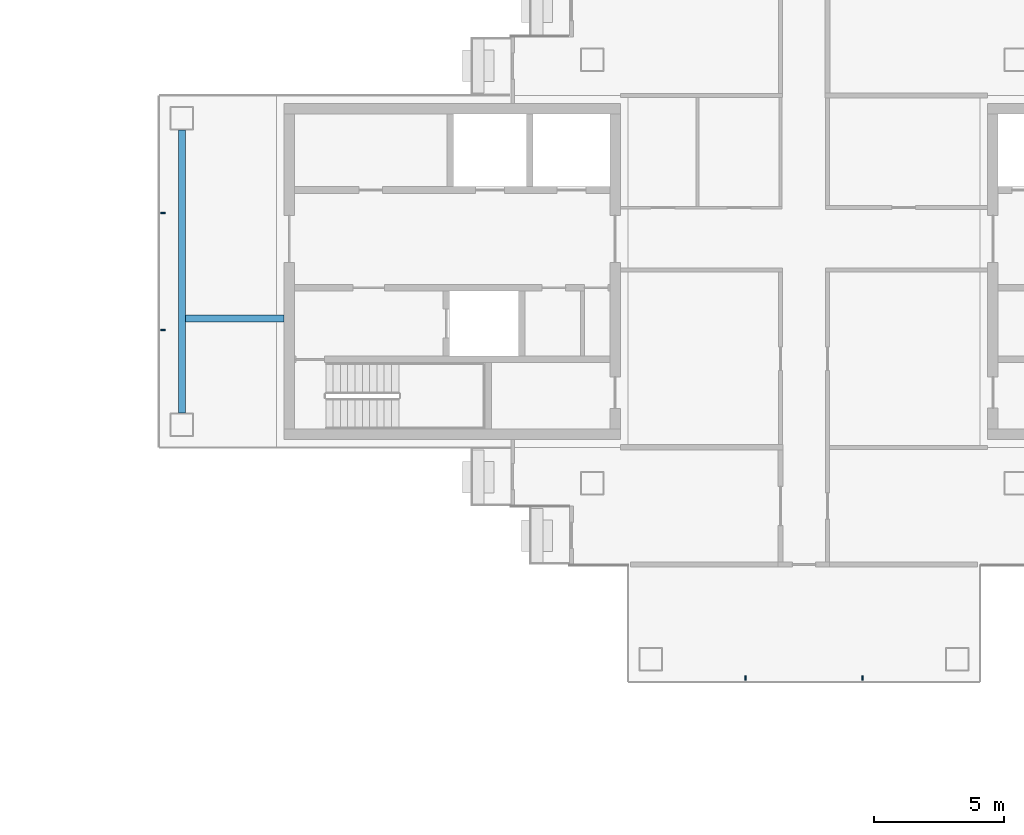
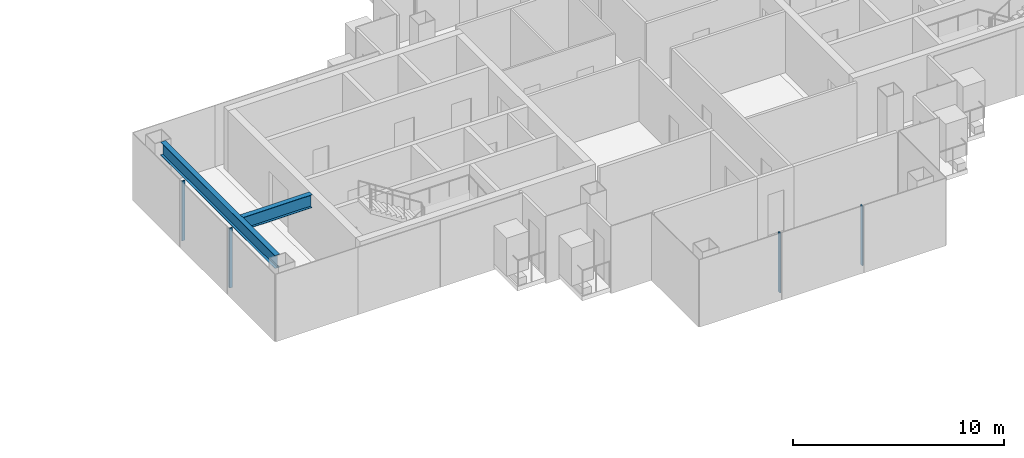
# One storey, part 5 of 17: 4 members, 2 beams, 2 elements without a shape of their own.
"""IFC4 building model written with IfcOpenShell, lengths in metres."""

from ifc_helpers import new_model, si_unit, direction, frame, origin, origin_2d, place, context, subcontext, project, spatial, rectangle, i_section, extrude, material, layer, layer_set, material_profile, profile_set, type_object, element, aggregate, save


model = new_model("IFC4")

# Units and contexts
model_context = context("Model", 3, precision=1e-05, world=origin(), true_north=direction((0.0, 1.0)))
body_context = subcontext(model_context, "Body", "Model", "MODEL_VIEW")
ifc_project = project(units=[si_unit("LENGTHUNIT", "METRE"), si_unit("AREAUNIT", "SQUARE_METRE"), si_unit("VOLUMEUNIT", "CUBIC_METRE"), si_unit("PLANEANGLEUNIT", "RADIAN"), si_unit("MASSUNIT", "GRAM", prefix="KILO")], contexts=[model_context])

# Site, building, storey
site_placement = place(None, origin())
site = spatial("IfcSite", under=ifc_project, at=site_placement, CompositionType="ELEMENT")
building_placement = place(site_placement, origin())
building = spatial("IfcBuilding", under=site, at=building_placement, Name="Shamsa Quay Exchange Towers", CompositionType="ELEMENT")
storey_placement = place(building_placement, frame((0.0, 0.0, 234.300048828125)))
storey = spatial("IfcBuildingStorey", under=building, at=storey_placement, Name="L56", CompositionType="ELEMENT", Elevation=234.300048828125)

# Curtain wall, members
ifc_material_1 = material(Name="Aluminium EN AW-6063 T6, black anodised", Category="aluminium")
ifc_layer = layer(ifc_material_1, 0.280029296875)
ifc_layer_set = layer_set([ifc_layer], Name="CW-1 UNITISED VISION GLASS")
curtain_wall_type = type_object("IfcCurtainWallType", Name="CW-1 UNITISED VISION GLASS", PredefinedType="NOTDEFINED", material=ifc_layer_set)
curtain_wall_1_placement = place(storey_placement, origin())
curtain_wall_1 = element("IfcCurtainWall", 1, at=curtain_wall_1_placement, inside=storey, type_object=curtain_wall_type, Name="CW1 T2-END-V+ L56", PredefinedType="NOTDEFINED")
ifc_material_profile_1 = material_profile(ifc_material_1, rectangle(XDim=0.179931640625, YDim=0.06005859375, at=origin_2d()), Name="MU60x180")
ifc_profile_set_1 = profile_set([ifc_material_profile_1], Name="Aluminium EN AW-6063 T6, black anodised")
member_type = type_object("IfcMemberType", Name="CW1 MULLION 60x180", PredefinedType="MULLION", material=ifc_profile_set_1)
member_1_placement = place(storey_placement, frame((9.14990234375, 2.25, 0.0)))
member_1 = element("IfcMember", 2, at=member_1_placement, type_object=member_type, Name="CW1 mullion", PredefinedType="MULLION", context=body_context, shape_type="SweptSolid", body=[
    extrude(rectangle(XDim=0.179931640625, YDim=0.06005859375, at=origin_2d()), origin(), (0.0, 0.0, 1.0), 3.449951171875),
])
member_2_placement = place(storey_placement, frame((9.14990234375, -2.25, 0.0)))
member_2 = element("IfcMember", 3, at=member_2_placement, type_object=member_type, Name="CW1 mullion", PredefinedType="MULLION", context=body_context, shape_type="SweptSolid", body=[
    extrude(rectangle(XDim=0.179931640625, YDim=0.06005859375, at=origin_2d()), origin(), (0.0, 0.0, 1.0), 3.449951171875),
])
aggregate(curtain_wall_1, [member_1, member_2])

curtain_wall_2_placement = place(storey_placement, origin())
curtain_wall_2 = element("IfcCurtainWall", 4, at=curtain_wall_2_placement, inside=storey, type_object=curtain_wall_type, Name="CW1 T2-END-U- L56", PredefinedType="NOTDEFINED")
member_3_placement = place(storey_placement, frame((31.5, -15.60009765625, 0.0), z_axis=(0.0, 0.0, 1.0), x_axis=(0.0, 1.0, 0.0)))
member_3 = element("IfcMember", 5, at=member_3_placement, type_object=member_type, Name="CW1 mullion", PredefinedType="MULLION", context=body_context, shape_type="SweptSolid", body=[
    extrude(rectangle(XDim=0.179931640625, YDim=0.06005859375, at=origin_2d()), origin(), (0.0, 0.0, 1.0), 3.449951171875),
])
member_4_placement = place(storey_placement, frame((36.0, -15.60009765625, 0.0), z_axis=(0.0, 0.0, 1.0), x_axis=(0.0, 1.0, 0.0)))
member_4 = element("IfcMember", 6, at=member_4_placement, type_object=member_type, Name="CW1 mullion", PredefinedType="MULLION", context=body_context, shape_type="SweptSolid", body=[
    extrude(rectangle(XDim=0.179931640625, YDim=0.06005859375, at=origin_2d()), origin(), (0.0, 0.0, 1.0), 3.449951171875),
])
aggregate(curtain_wall_2, [member_3, member_4])

# Beams
ifc_material_2 = material(Name="Steel S355", Category="steel")
ifc_material_profile_2 = material_profile(ifc_material_2, i_section(OverallWidth=0.26611328125, OverallDepth=0.7578125, WebThickness=0.013916015625, FlangeThickness=0.019287109375, at=origin_2d()), Name="W30x108")
ifc_profile_set_2 = profile_set([ifc_material_profile_2], Name="Steel S355")
beam_type = type_object("IfcBeamType", Name="End-zone beam W30x108", PredefinedType="BEAM", material=ifc_profile_set_2)
beam_1_placement = place(storey_placement, frame((9.875, -5.425048828125, 3.171142578125), z_axis=(0.0, 1.0, 0.0), x_axis=(-1.0, 0.0, 0.0)))
element("IfcBeam", 7, at=beam_1_placement, inside=storey, type_object=beam_type, Name="End beam T2 V+ end zone L56", PredefinedType="BEAM", context=body_context, shape_type="SweptSolid", body=[
    extrude(i_section(OverallWidth=0.26611328125, OverallDepth=0.7578125, WebThickness=0.013916015625, FlangeThickness=0.019287109375, at=origin_2d()), origin(), (0.0, 0.0, 1.0), 10.85009765625),
])
beam_2_placement = place(storey_placement, frame((13.800048828125, -1.800048828125, 3.171142578125), z_axis=(-1.0, 0.0, 0.0), x_axis=(0.0, -1.0, 0.0)))
element("IfcBeam", 8, at=beam_2_placement, inside=storey, type_object=beam_type, Name="Spine beam T2 V+ end zone L56", PredefinedType="BEAM", context=body_context, shape_type="SweptSolid", body=[
    extrude(i_section(OverallWidth=0.26611328125, OverallDepth=0.7578125, WebThickness=0.013916015625, FlangeThickness=0.019287109375, at=origin_2d()), origin(), (0.0, 0.0, 1.0), 3.7919921875),
])

save(model, "model.ifc")
